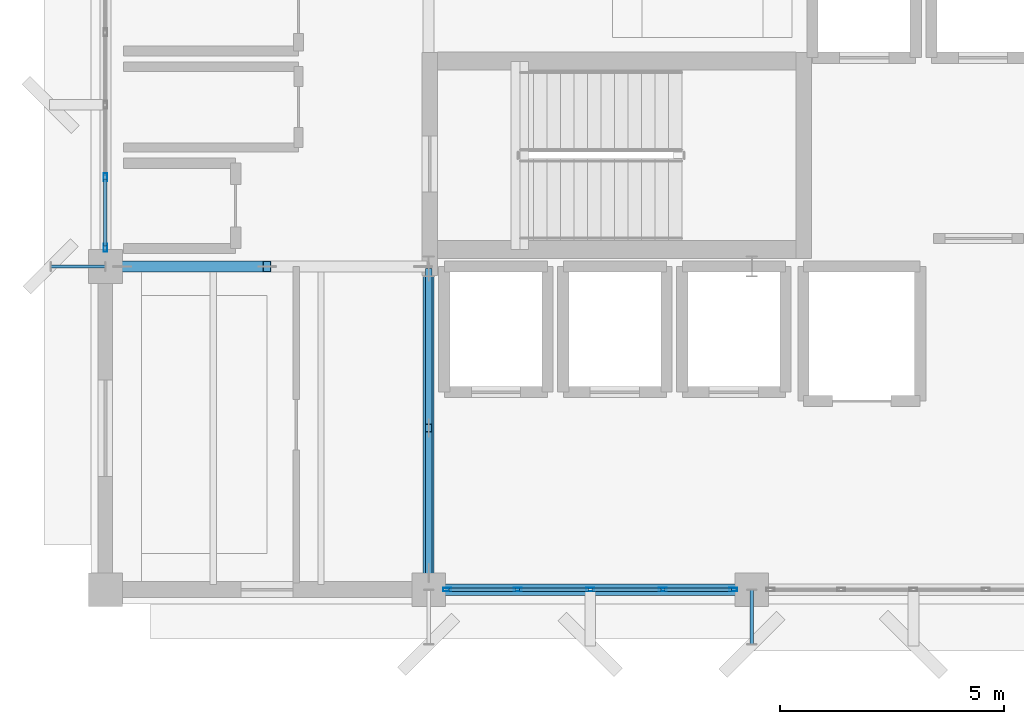
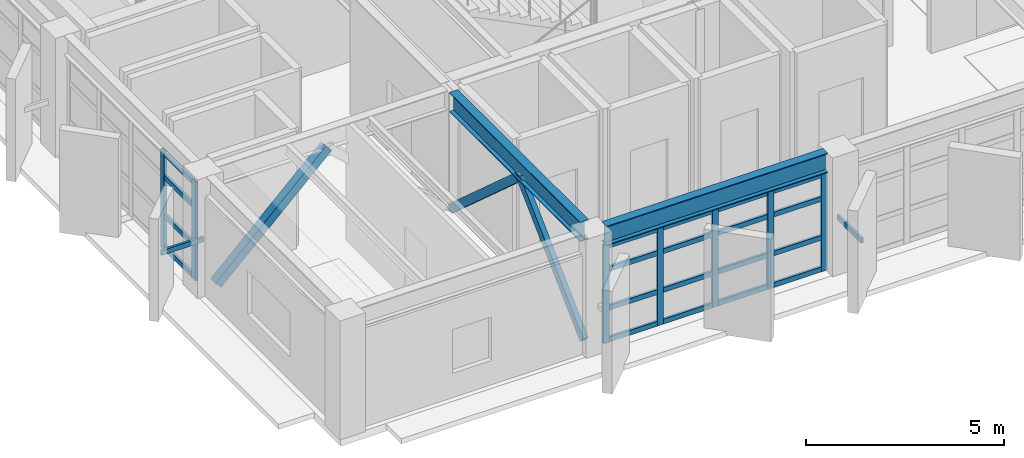
# One storey, part 4 of 24: 32 members, 2 beams, 2 elements without a shape of their own.
"""IFC4 building model written with IfcOpenShell, lengths in metres."""

from ifc_helpers import new_model, si_unit, direction, frame, origin, origin_2d, place, context, subcontext, project, spatial, hollow_rectangle, i_section, extrude, material, layer, layer_set, material_profile, profile_set, type_object, element, aggregate, save


model = new_model("IFC4")

# Units and contexts
model_context = context("Model", 3, precision=1e-05, world=origin(), true_north=direction((0.0, 1.0)))
body_context = subcontext(model_context, "Body", "Model", "MODEL_VIEW")
ifc_project = project(units=[si_unit("LENGTHUNIT", "METRE"), si_unit("AREAUNIT", "SQUARE_METRE"), si_unit("VOLUMEUNIT", "CUBIC_METRE"), si_unit("PLANEANGLEUNIT", "RADIAN"), si_unit("MASSUNIT", "GRAM", prefix="KILO")], contexts=[model_context])

# Site, building, storey
site_placement = place(None, origin())
site = spatial("IfcSite", under=ifc_project, at=site_placement, CompositionType="ELEMENT")
building_placement = place(site_placement, origin())
building = spatial("IfcBuilding", under=site, at=building_placement, Name="Kandorven Conservatory and Botanical Research Centre", CompositionType="ELEMENT")
storey_placement = place(building_placement, frame((0.0, 0.0, 21.0)))
storey = spatial("IfcBuildingStorey", under=building, at=storey_placement, Name="L05", CompositionType="ELEMENT", Elevation=21.0)

# Beams
ifc_material_1 = material(Name="Steel S355 (IS 2062 E350)", Category="steel")
ifc_material_profile_1 = material_profile(ifc_material_1, i_section(OverallWidth=0.25, OverallDepth=0.60009765625, WebThickness=0.01171875, FlangeThickness=0.023681640625, at=origin_2d()))
ifc_profile_set_1 = profile_set([ifc_material_profile_1], Name="Steel S355 (IS 2062 E350)")
beam_type = type_object("IfcBeamType", Name="Beam_FG-01", PredefinedType="USERDEFINED", material=ifc_profile_set_1)
beam_1_placement = place(storey_placement, frame((13.56494140625, 6.0, 3.3701171875), z_axis=(1.0, 0.0, 0.0), x_axis=(0.0, 1.0, 0.0)))
element("IfcBeam", 1, at=beam_1_placement, inside=storey, type_object=beam_type, Name="Primary girder FG-01 TWR L05", ObjectType="GIRDER", PredefinedType="USERDEFINED", context=body_context, shape_type="SweptSolid", body=[
    extrude(i_section(OverallWidth=0.25, OverallDepth=0.60009765625, WebThickness=0.01171875, FlangeThickness=0.023681640625, at=origin_2d()), origin(), (0.0, 0.0, 1.0), 6.469970703125),
])
beam_2_placement = place(storey_placement, frame((13.199951171875, 6.364990234375, 3.3701171875), z_axis=(0.0, 1.0, 0.0), x_axis=(-1.0, 0.0, 0.0)))
element("IfcBeam", 2, at=beam_2_placement, inside=storey, type_object=beam_type, Name="Primary girder FG-01 TWR L05", ObjectType="GIRDER", PredefinedType="USERDEFINED", context=body_context, shape_type="SweptSolid", body=[
    extrude(i_section(OverallWidth=0.25, OverallDepth=0.60009765625, WebThickness=0.01171875, FlangeThickness=0.023681640625, at=origin_2d()), origin(), (0.0, 0.0, 1.0), 6.6201171875),
])

# Curtain wall, members
ifc_material_2 = material(Name="Bronze anodised thermally broken aluminium", Category="aluminium")
ifc_layer = layer(ifc_material_2, 0.179931640625)
ifc_layer_set = layer_set([ifc_layer], Name="Bronze anodised thermally broken aluminium")
curtain_wall_type = type_object("IfcCurtainWallType", Name="CW_Unitised", PredefinedType="USERDEFINED", material=ifc_layer_set)
curtain_wall_1_placement = place(storey_placement, origin())
curtain_wall_1 = element("IfcCurtainWall", 3, at=curtain_wall_1_placement, inside=storey, type_object=curtain_wall_type, Name="Tower laboratory curtain wall CW-TWR-S-L05-2", ObjectType="UNITISED GLAZING", PredefinedType="USERDEFINED")
ifc_material_3 = material(Name="Bronze anodised thermally broken aluminium", Category="aluminium")
ifc_material_profile_2 = material_profile(ifc_material_3, hollow_rectangle(XDim=0.080078125, YDim=0.179931640625, WallThickness=0.006103515625, at=origin_2d()))
ifc_profile_set_2 = profile_set([ifc_material_profile_2], Name="Bronze anodised thermally broken aluminium")
member_type_1 = type_object("IfcMemberType", Name="CW_Mullion", PredefinedType="MULLION", material=ifc_profile_set_2)
member_1_placement = place(storey_placement, frame((13.614990234375, 6.0, 0.0), z_axis=(0.0, 0.0, 1.0), x_axis=(0.0, 1.0, 0.0)))
member_1 = element("IfcMember", 4, at=member_1_placement, type_object=member_type_1, Name="CW-01 mullion 1", PredefinedType="MULLION", context=body_context, shape_type="SweptSolid", body=[
    extrude(hollow_rectangle(XDim=0.080078125, YDim=0.179931640625, WallThickness=0.006103515625, at=origin_2d()), origin(), (0.0, 0.0, 1.0), 3.050048828125),
])
member_2_placement = place(storey_placement, frame((15.1875, 6.0, 0.0), z_axis=(0.0, 0.0, 1.0), x_axis=(0.0, 1.0, 0.0)))
member_2 = element("IfcMember", 5, at=member_2_placement, type_object=member_type_1, Name="CW-01 mullion 2", PredefinedType="MULLION", context=body_context, shape_type="SweptSolid", body=[
    extrude(hollow_rectangle(XDim=0.080078125, YDim=0.179931640625, WallThickness=0.006103515625, at=origin_2d()), origin(), (0.0, 0.0, 1.0), 3.050048828125),
])
member_3_placement = place(storey_placement, frame((16.800048828125, 6.0, 0.0), z_axis=(0.0, 0.0, 1.0), x_axis=(0.0, 1.0, 0.0)))
member_3 = element("IfcMember", 6, at=member_3_placement, type_object=member_type_1, Name="CW-01 mullion 3", PredefinedType="MULLION", context=body_context, shape_type="SweptSolid", body=[
    extrude(hollow_rectangle(XDim=0.080078125, YDim=0.179931640625, WallThickness=0.006103515625, at=origin_2d()), origin(), (0.0, 0.0, 1.0), 3.050048828125),
])
member_4_placement = place(storey_placement, frame((18.41259765625, 6.0, 0.0), z_axis=(0.0, 0.0, 1.0), x_axis=(0.0, 1.0, 0.0)))
member_4 = element("IfcMember", 7, at=member_4_placement, type_object=member_type_1, Name="CW-01 mullion 4", PredefinedType="MULLION", context=body_context, shape_type="SweptSolid", body=[
    extrude(hollow_rectangle(XDim=0.080078125, YDim=0.179931640625, WallThickness=0.006103515625, at=origin_2d()), origin(), (0.0, 0.0, 1.0), 3.050048828125),
])
member_5_placement = place(storey_placement, frame((19.985107421875, 6.0, 0.0), z_axis=(0.0, 0.0, 1.0), x_axis=(0.0, 1.0, 0.0)))
member_5 = element("IfcMember", 8, at=member_5_placement, type_object=member_type_1, Name="CW-01 mullion 5", PredefinedType="MULLION", context=body_context, shape_type="SweptSolid", body=[
    extrude(hollow_rectangle(XDim=0.080078125, YDim=0.179931640625, WallThickness=0.006103515625, at=origin_2d()), origin(), (0.0, 0.0, 1.0), 3.050048828125),
])

curtain_wall_2_placement = place(storey_placement, origin())
curtain_wall_2 = element("IfcCurtainWall", 9, at=curtain_wall_2_placement, inside=storey, type_object=curtain_wall_type, Name="Tower laboratory curtain wall CW-TWR-W-L05-2", ObjectType="UNITISED GLAZING", PredefinedType="USERDEFINED")
member_6_placement = place(storey_placement, frame((6.0, 13.614990234375, 0.0), z_axis=(0.0, 0.0, 1.0), x_axis=(-1.0, 0.0, 0.0)))
member_6 = element("IfcMember", 10, at=member_6_placement, type_object=member_type_1, Name="CW-01 mullion 1", PredefinedType="MULLION", context=body_context, shape_type="SweptSolid", body=[
    extrude(hollow_rectangle(XDim=0.080078125, YDim=0.179931640625, WallThickness=0.006103515625, at=origin_2d()), origin(), (0.0, 0.0, 1.0), 3.050048828125),
])
member_7_placement = place(storey_placement, frame((6.0, 15.1875, 0.0), z_axis=(0.0, 0.0, 1.0), x_axis=(-1.0, 0.0, 0.0)))
member_7 = element("IfcMember", 11, at=member_7_placement, type_object=member_type_1, Name="CW-01 mullion 2", PredefinedType="MULLION", context=body_context, shape_type="SweptSolid", body=[
    extrude(hollow_rectangle(XDim=0.080078125, YDim=0.179931640625, WallThickness=0.006103515625, at=origin_2d()), origin(), (0.0, 0.0, 1.0), 3.050048828125),
])

# Member
ifc_material_4 = material(Name="Bronze anodised thermally broken aluminium", Category="aluminium")
ifc_material_profile_3 = material_profile(ifc_material_4, hollow_rectangle(XDim=0.074951171875, YDim=0.14990234375, WallThickness=0.006103515625, at=origin_2d()))
ifc_profile_set_3 = profile_set([ifc_material_profile_3], Name="Bronze anodised thermally broken aluminium")
member_type_2 = type_object("IfcMemberType", Name="CW_Transom", PredefinedType="USERDEFINED", material=ifc_profile_set_3)
member_8_placement = place(storey_placement, frame((13.655029296875, 6.0, 0.074951171875), z_axis=(1.0, 0.0, 0.0), x_axis=(0.0, 1.0, 0.0)))
member_8 = element("IfcMember", 12, at=member_8_placement, type_object=member_type_2, Name="CW-01 transom 1.1", ObjectType="TRANSOM", PredefinedType="USERDEFINED", context=body_context, shape_type="SweptSolid", body=[
    extrude(hollow_rectangle(XDim=0.074951171875, YDim=0.14990234375, WallThickness=0.006103515625, at=origin_2d()), origin(), (0.0, 0.0, 1.0), 1.492431640625),
])

member_9_placement = place(storey_placement, frame((13.655029296875, 6.0, 1.050048828125), z_axis=(1.0, 0.0, 0.0), x_axis=(0.0, 1.0, 0.0)))
member_9 = element("IfcMember", 13, at=member_9_placement, type_object=member_type_2, Name="CW-01 transom 1.2", ObjectType="TRANSOM", PredefinedType="USERDEFINED", context=body_context, shape_type="SweptSolid", body=[
    extrude(hollow_rectangle(XDim=0.074951171875, YDim=0.14990234375, WallThickness=0.006103515625, at=origin_2d()), origin(), (0.0, 0.0, 1.0), 1.492431640625),
])

member_10_placement = place(storey_placement, frame((13.655029296875, 6.0, 2.25), z_axis=(1.0, 0.0, 0.0), x_axis=(0.0, 1.0, 0.0)))
member_10 = element("IfcMember", 14, at=member_10_placement, type_object=member_type_2, Name="CW-01 transom 1.3", ObjectType="TRANSOM", PredefinedType="USERDEFINED", context=body_context, shape_type="SweptSolid", body=[
    extrude(hollow_rectangle(XDim=0.074951171875, YDim=0.14990234375, WallThickness=0.006103515625, at=origin_2d()), origin(), (0.0, 0.0, 1.0), 1.492431640625),
])

member_11_placement = place(storey_placement, frame((13.655029296875, 6.0, 2.97509765625), z_axis=(1.0, 0.0, 0.0), x_axis=(0.0, 1.0, 0.0)))
member_11 = element("IfcMember", 15, at=member_11_placement, type_object=member_type_2, Name="CW-01 transom 1.4", ObjectType="TRANSOM", PredefinedType="USERDEFINED", context=body_context, shape_type="SweptSolid", body=[
    extrude(hollow_rectangle(XDim=0.074951171875, YDim=0.14990234375, WallThickness=0.006103515625, at=origin_2d()), origin(), (0.0, 0.0, 1.0), 1.492431640625),
])

member_12_placement = place(storey_placement, frame((15.2275390625, 6.0, 0.074951171875), z_axis=(1.0, 0.0, 0.0), x_axis=(0.0, 1.0, 0.0)))
member_12 = element("IfcMember", 16, at=member_12_placement, type_object=member_type_2, Name="CW-01 transom 2.1", ObjectType="TRANSOM", PredefinedType="USERDEFINED", context=body_context, shape_type="SweptSolid", body=[
    extrude(hollow_rectangle(XDim=0.074951171875, YDim=0.14990234375, WallThickness=0.006103515625, at=origin_2d()), origin(), (0.0, 0.0, 1.0), 1.532470703125),
])

member_13_placement = place(storey_placement, frame((15.2275390625, 6.0, 1.050048828125), z_axis=(1.0, 0.0, 0.0), x_axis=(0.0, 1.0, 0.0)))
member_13 = element("IfcMember", 17, at=member_13_placement, type_object=member_type_2, Name="CW-01 transom 2.2", ObjectType="TRANSOM", PredefinedType="USERDEFINED", context=body_context, shape_type="SweptSolid", body=[
    extrude(hollow_rectangle(XDim=0.074951171875, YDim=0.14990234375, WallThickness=0.006103515625, at=origin_2d()), origin(), (0.0, 0.0, 1.0), 1.532470703125),
])

member_14_placement = place(storey_placement, frame((15.2275390625, 6.0, 2.25), z_axis=(1.0, 0.0, 0.0), x_axis=(0.0, 1.0, 0.0)))
member_14 = element("IfcMember", 18, at=member_14_placement, type_object=member_type_2, Name="CW-01 transom 2.3", ObjectType="TRANSOM", PredefinedType="USERDEFINED", context=body_context, shape_type="SweptSolid", body=[
    extrude(hollow_rectangle(XDim=0.074951171875, YDim=0.14990234375, WallThickness=0.006103515625, at=origin_2d()), origin(), (0.0, 0.0, 1.0), 1.532470703125),
])

member_15_placement = place(storey_placement, frame((15.2275390625, 6.0, 2.97509765625), z_axis=(1.0, 0.0, 0.0), x_axis=(0.0, 1.0, 0.0)))
member_15 = element("IfcMember", 19, at=member_15_placement, type_object=member_type_2, Name="CW-01 transom 2.4", ObjectType="TRANSOM", PredefinedType="USERDEFINED", context=body_context, shape_type="SweptSolid", body=[
    extrude(hollow_rectangle(XDim=0.074951171875, YDim=0.14990234375, WallThickness=0.006103515625, at=origin_2d()), origin(), (0.0, 0.0, 1.0), 1.532470703125),
])

member_16_placement = place(storey_placement, frame((16.840087890625, 6.0, 0.074951171875), z_axis=(1.0, 0.0, 0.0), x_axis=(0.0, 1.0, 0.0)))
member_16 = element("IfcMember", 20, at=member_16_placement, type_object=member_type_2, Name="CW-01 transom 3.1", ObjectType="TRANSOM", PredefinedType="USERDEFINED", context=body_context, shape_type="SweptSolid", body=[
    extrude(hollow_rectangle(XDim=0.074951171875, YDim=0.14990234375, WallThickness=0.006103515625, at=origin_2d()), origin(), (0.0, 0.0, 1.0), 1.532470703125),
])

member_17_placement = place(storey_placement, frame((16.840087890625, 6.0, 1.050048828125), z_axis=(1.0, 0.0, 0.0), x_axis=(0.0, 1.0, 0.0)))
member_17 = element("IfcMember", 21, at=member_17_placement, type_object=member_type_2, Name="CW-01 transom 3.2", ObjectType="TRANSOM", PredefinedType="USERDEFINED", context=body_context, shape_type="SweptSolid", body=[
    extrude(hollow_rectangle(XDim=0.074951171875, YDim=0.14990234375, WallThickness=0.006103515625, at=origin_2d()), origin(), (0.0, 0.0, 1.0), 1.532470703125),
])

member_18_placement = place(storey_placement, frame((16.840087890625, 6.0, 2.25), z_axis=(1.0, 0.0, 0.0), x_axis=(0.0, 1.0, 0.0)))
member_18 = element("IfcMember", 22, at=member_18_placement, type_object=member_type_2, Name="CW-01 transom 3.3", ObjectType="TRANSOM", PredefinedType="USERDEFINED", context=body_context, shape_type="SweptSolid", body=[
    extrude(hollow_rectangle(XDim=0.074951171875, YDim=0.14990234375, WallThickness=0.006103515625, at=origin_2d()), origin(), (0.0, 0.0, 1.0), 1.532470703125),
])

member_19_placement = place(storey_placement, frame((16.840087890625, 6.0, 2.97509765625), z_axis=(1.0, 0.0, 0.0), x_axis=(0.0, 1.0, 0.0)))
member_19 = element("IfcMember", 23, at=member_19_placement, type_object=member_type_2, Name="CW-01 transom 3.4", ObjectType="TRANSOM", PredefinedType="USERDEFINED", context=body_context, shape_type="SweptSolid", body=[
    extrude(hollow_rectangle(XDim=0.074951171875, YDim=0.14990234375, WallThickness=0.006103515625, at=origin_2d()), origin(), (0.0, 0.0, 1.0), 1.532470703125),
])

member_20_placement = place(storey_placement, frame((18.452392578125, 6.0, 0.074951171875), z_axis=(1.0, 0.0, 0.0), x_axis=(0.0, 1.0, 0.0)))
member_20 = element("IfcMember", 24, at=member_20_placement, type_object=member_type_2, Name="CW-01 transom 4.1", ObjectType="TRANSOM", PredefinedType="USERDEFINED", context=body_context, shape_type="SweptSolid", body=[
    extrude(hollow_rectangle(XDim=0.074951171875, YDim=0.14990234375, WallThickness=0.006103515625, at=origin_2d()), origin(), (0.0, 0.0, 1.0), 1.49267578125),
])

member_21_placement = place(storey_placement, frame((18.452392578125, 6.0, 1.050048828125), z_axis=(1.0, 0.0, 0.0), x_axis=(0.0, 1.0, 0.0)))
member_21 = element("IfcMember", 25, at=member_21_placement, type_object=member_type_2, Name="CW-01 transom 4.2", ObjectType="TRANSOM", PredefinedType="USERDEFINED", context=body_context, shape_type="SweptSolid", body=[
    extrude(hollow_rectangle(XDim=0.074951171875, YDim=0.14990234375, WallThickness=0.006103515625, at=origin_2d()), origin(), (0.0, 0.0, 1.0), 1.49267578125),
])

member_22_placement = place(storey_placement, frame((18.452392578125, 6.0, 2.25), z_axis=(1.0, 0.0, 0.0), x_axis=(0.0, 1.0, 0.0)))
member_22 = element("IfcMember", 26, at=member_22_placement, type_object=member_type_2, Name="CW-01 transom 4.3", ObjectType="TRANSOM", PredefinedType="USERDEFINED", context=body_context, shape_type="SweptSolid", body=[
    extrude(hollow_rectangle(XDim=0.074951171875, YDim=0.14990234375, WallThickness=0.006103515625, at=origin_2d()), origin(), (0.0, 0.0, 1.0), 1.49267578125),
])

member_23_placement = place(storey_placement, frame((18.452392578125, 6.0, 2.97509765625), z_axis=(1.0, 0.0, 0.0), x_axis=(0.0, 1.0, 0.0)))
member_23 = element("IfcMember", 27, at=member_23_placement, type_object=member_type_2, Name="CW-01 transom 4.4", ObjectType="TRANSOM", PredefinedType="USERDEFINED", context=body_context, shape_type="SweptSolid", body=[
    extrude(hollow_rectangle(XDim=0.074951171875, YDim=0.14990234375, WallThickness=0.006103515625, at=origin_2d()), origin(), (0.0, 0.0, 1.0), 1.49267578125),
])

aggregate(curtain_wall_1, [member_1, member_2, member_3, member_4, member_5, member_8, member_9, member_10, member_11, member_12, member_13, member_14, member_15, member_16, member_17, member_18, member_19, member_20, member_21, member_22, member_23])

member_24_placement = place(storey_placement, frame((6.0, 13.655029296875, 0.074951171875), z_axis=(0.0, 1.0, 0.0), x_axis=(-1.0, 0.0, 0.0)))
member_24 = element("IfcMember", 28, at=member_24_placement, type_object=member_type_2, Name="CW-01 transom 1.1", ObjectType="TRANSOM", PredefinedType="USERDEFINED", context=body_context, shape_type="SweptSolid", body=[
    extrude(hollow_rectangle(XDim=0.074951171875, YDim=0.14990234375, WallThickness=0.006103515625, at=origin_2d()), origin(), (0.0, 0.0, 1.0), 1.492431640625),
])

member_25_placement = place(storey_placement, frame((6.0, 13.655029296875, 1.050048828125), z_axis=(0.0, 1.0, 0.0), x_axis=(-1.0, 0.0, 0.0)))
member_25 = element("IfcMember", 29, at=member_25_placement, type_object=member_type_2, Name="CW-01 transom 1.2", ObjectType="TRANSOM", PredefinedType="USERDEFINED", context=body_context, shape_type="SweptSolid", body=[
    extrude(hollow_rectangle(XDim=0.074951171875, YDim=0.14990234375, WallThickness=0.006103515625, at=origin_2d()), origin(), (0.0, 0.0, 1.0), 1.492431640625),
])

member_26_placement = place(storey_placement, frame((6.0, 13.655029296875, 2.25), z_axis=(0.0, 1.0, 0.0), x_axis=(-1.0, 0.0, 0.0)))
member_26 = element("IfcMember", 30, at=member_26_placement, type_object=member_type_2, Name="CW-01 transom 1.3", ObjectType="TRANSOM", PredefinedType="USERDEFINED", context=body_context, shape_type="SweptSolid", body=[
    extrude(hollow_rectangle(XDim=0.074951171875, YDim=0.14990234375, WallThickness=0.006103515625, at=origin_2d()), origin(), (0.0, 0.0, 1.0), 1.492431640625),
])

member_27_placement = place(storey_placement, frame((6.0, 13.655029296875, 2.97509765625), z_axis=(0.0, 1.0, 0.0), x_axis=(-1.0, 0.0, 0.0)))
member_27 = element("IfcMember", 31, at=member_27_placement, type_object=member_type_2, Name="CW-01 transom 1.4", ObjectType="TRANSOM", PredefinedType="USERDEFINED", context=body_context, shape_type="SweptSolid", body=[
    extrude(hollow_rectangle(XDim=0.074951171875, YDim=0.14990234375, WallThickness=0.006103515625, at=origin_2d()), origin(), (0.0, 0.0, 1.0), 1.492431640625),
])

aggregate(curtain_wall_2, [member_6, member_7, member_24, member_25, member_26, member_27])

# Members
ifc_material_5 = material(Name="Steel S355 (IS 2062 E350)", Category="steel")
ifc_material_profile_4 = material_profile(ifc_material_5, hollow_rectangle(XDim=0.25, YDim=0.25, WallThickness=0.011962890625, at=origin_2d()))
ifc_profile_set_4 = profile_set([ifc_material_profile_4], Name="Steel S355 (IS 2062 E350)")
member_type_3 = type_object("IfcMemberType", Name="Mem_BR-02", PredefinedType="BRACE", material=ifc_profile_set_4)
member_28_placement = place(storey_placement, frame((6.375, 13.199951171875, 0.0), z_axis=(0.72094002563, 0.0, 0.692997459913), x_axis=(0.0, 1.0, 0.0)))
element("IfcMember", 32, at=member_28_placement, inside=storey, type_object=member_type_3, Name="Tower lateral chevron brace BR-02 L05 W", PredefinedType="BRACE", context=body_context, shape_type="SweptSolid", body=[
    extrude(hollow_rectangle(XDim=0.25, YDim=0.25, WallThickness=0.011962890625, at=origin_2d()), origin(), (0.0, 0.0, 1.0), 4.473388671875),
])
ifc_material_6 = material(Name="Steel S355 (IS 2062 E350)", Category="steel")
ifc_material_profile_5 = material_profile(ifc_material_6, hollow_rectangle(XDim=0.14990234375, YDim=0.25, WallThickness=0.010009765625, at=origin_2d()))
ifc_profile_set_5 = profile_set([ifc_material_profile_5], Name="Steel S355 (IS 2062 E350)")
member_type_4 = type_object("IfcMemberType", Name="Mem_BR-04", PredefinedType="BRACE", material=ifc_profile_set_5)
member_29_placement = place(storey_placement, frame((13.199951171875, 6.375, 0.0), z_axis=(0.0, 0.72094002563, 0.692997459913), x_axis=(-1.0, 0.0, 0.0)))
element("IfcMember", 33, at=member_29_placement, inside=storey, type_object=member_type_4, Name="Tower lateral chevron brace BR-04 L05 S", PredefinedType="BRACE", context=body_context, shape_type="SweptSolid", body=[
    extrude(hollow_rectangle(XDim=0.14990234375, YDim=0.25, WallThickness=0.010009765625, at=origin_2d()), origin(), (0.0, 0.0, 1.0), 4.473388671875),
])
member_30_placement = place(storey_placement, frame((13.199951171875, 13.074951171875, 0.0), z_axis=(0.0, -0.746198996931, 0.665722958128), x_axis=(1.0, 0.0, 0.0)))
element("IfcMember", 34, at=member_30_placement, inside=storey, type_object=member_type_4, Name="Tower lateral chevron brace BR-04 L05 N", PredefinedType="BRACE", context=body_context, shape_type="SweptSolid", body=[
    extrude(hollow_rectangle(XDim=0.14990234375, YDim=0.25, WallThickness=0.010009765625, at=origin_2d()), origin(), (0.0, 0.0, 1.0), 4.65673828125),
])
ifc_material_7 = material(Name="Steel S355 (IS 2062 E350)", Category="steel")
ifc_material_profile_6 = material_profile(ifc_material_7, hollow_rectangle(XDim=0.074951171875, YDim=0.14990234375, WallThickness=0.006103515625, at=origin_2d()))
ifc_profile_set_6 = profile_set([ifc_material_profile_6], Name="Steel S355 (IS 2062 E350)")
member_type_5 = type_object("IfcMemberType", Name="Mem_SF-01", PredefinedType="STRUT", material=ifc_profile_set_6)
for number, where, z_axis, x_axis, name in (
    (35, (20.39990234375, 6.0, 1.5), (0.0, -1.0, 0.0), (1.0, 0.0, 0.0), "Solar fin steel outrigger strut SF-01 #47"),
    (36, (6.0, 13.199951171875, 1.5), (-1.0, 0.0, 0.0), (0.0, -1.0, 0.0), "Solar fin steel outrigger strut SF-01 #51"),
):
    element("IfcMember", number, at=place(storey_placement, frame(where, z_axis=z_axis, x_axis=x_axis)), inside=storey, type_object=member_type_5, Name=name, PredefinedType="STRUT", context=body_context, shape_type="SweptSolid", body=[
        extrude(hollow_rectangle(XDim=0.074951171875, YDim=0.14990234375, WallThickness=0.006103515625, at=origin_2d()), origin(), (0.0, 0.0, 1.0), 1.219970703125),
    ])

save(model, "model.ifc")
